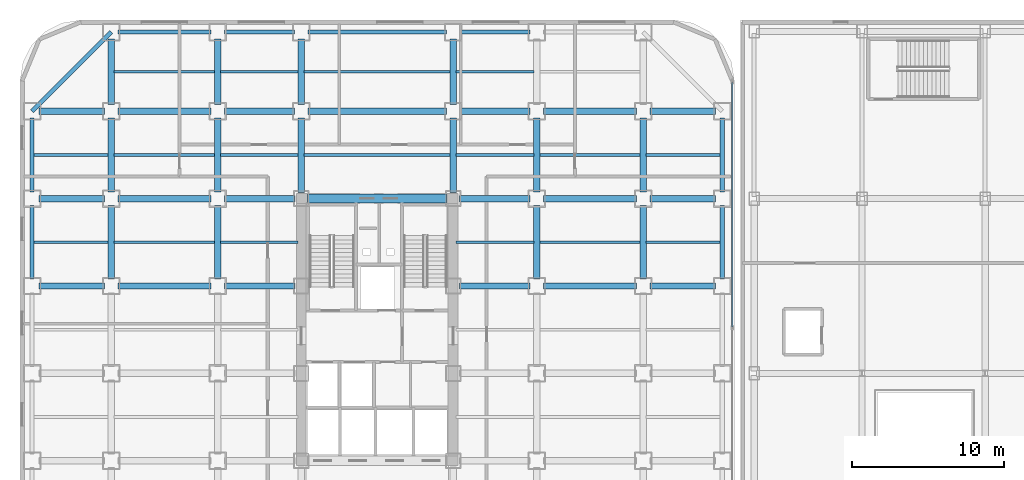
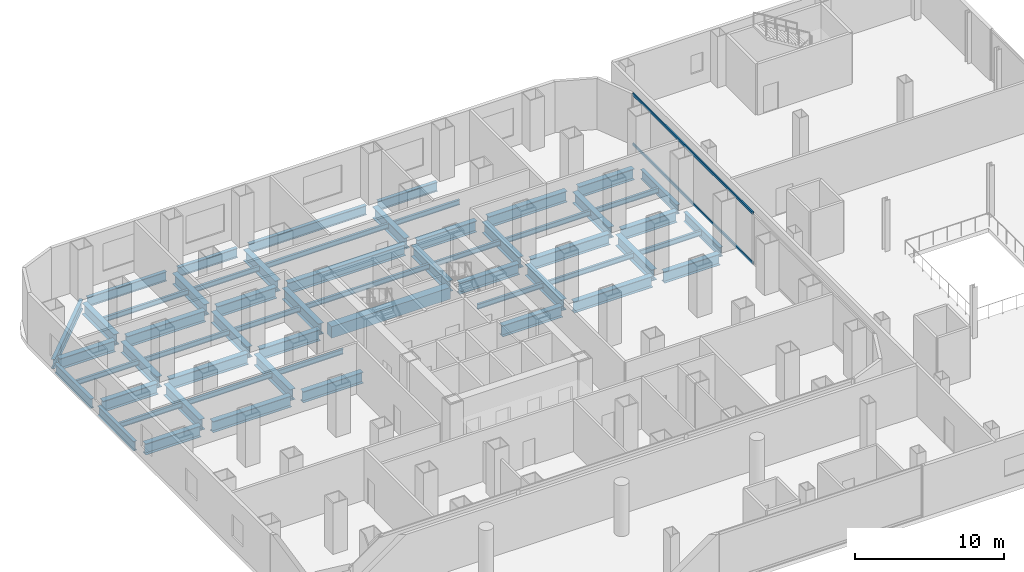
# One storey, part 13 of 27: 60 beams, 2 members, 1 element without a shape of its own.
"""IFC4 building model written with IfcOpenShell, lengths in metres."""

import ifcopenshell
import ifcopenshell.guid

model = None  # the IFC model being written
_history = None  # IfcOwnerHistory: only IFC2X3 demands one
_inside = {}  # id of a spatial element -> (the spatial element, [elements in it])
_under = {}  # id of a project, library or spatial element -> (it, [spatial elements below it])
_declared = {}  # id of a project -> (the project, [libraries it declares])
_typed = {}  # id of a type object -> (the type object, [elements of that type])
_made_of = {}  # id of a material, layer set ... -> (it, [elements and type objects made of it])


def new_model(schema):
    """Start an empty IFC model of exactly this schema.

    Asked for "IFC4X3", IfcOpenShell would pick the latest addendum, in which some entities
    have other attributes; the version numbers below select the first issue.
    IFC2X3 requires an IfcOwnerHistory on every rooted entity: one is made here for all.
    """
    global model, _history
    if schema == "IFC4X3":
        model = ifcopenshell.file(schema_version=(4, 3, 0, 0))
    else:
        model = ifcopenshell.file(schema=schema)
    _inside.clear()
    _under.clear()
    _declared.clear()
    _typed.clear()
    _made_of.clear()
    _history = None
    if model.schema == "IFC2X3":
        org = make("IfcOrganization", Name="unknown")
        user = make(
            "IfcPersonAndOrganization",
            ThePerson=make("IfcPerson", FamilyName="unknown"),
            TheOrganization=org,
        )
        app = make(
            "IfcApplication",
            ApplicationDeveloper=org,
            Version="unknown",
            ApplicationFullName="unknown",
            ApplicationIdentifier="unknown",
        )
        _history = make(
            "IfcOwnerHistory",
            OwningUser=user,
            OwningApplication=app,
            ChangeAction="ADDED",
            CreationDate=0,
        )
    return model


def make(cls, **values):
    """One entity of the class cls with the attributes given. An attribute that is None is left unset."""
    return model.create_entity(
        cls, **{name: value for name, value in values.items() if value is not None}
    )


def rooted(cls, **values):
    """An entity with a GlobalId (a new one), such as an element, a storey or a relation."""
    return make(cls, GlobalId=ifcopenshell.guid.new(), OwnerHistory=_history, **values)


def si_unit(unit_type, name, prefix=None):
    """IfcSIUnit, for example si_unit("LENGTHUNIT", "METRE", prefix="MILLI")."""
    return make("IfcSIUnit", UnitType=unit_type, Prefix=prefix, Name=name)


def assignment(units):
    """IfcUnitAssignment: the units of a project."""
    return None if units is None else make("IfcUnitAssignment", Units=units)


def point(xyz):
    """IfcCartesianPoint."""
    return None if xyz is None else make("IfcCartesianPoint", Coordinates=xyz)


def direction(xyz):
    """IfcDirection."""
    return None if xyz is None else make("IfcDirection", DirectionRatios=xyz)


def frame(location, z_axis=None, x_axis=None):
    """IfcAxis2Placement3D, a coordinate frame: its origin and axes. An axis left out is left unset."""
    return make(
        "IfcAxis2Placement3D",
        Location=point(location),
        Axis=direction(z_axis),
        RefDirection=direction(x_axis),
    )


def frame_2d(location, x_axis=None):
    """IfcAxis2Placement2D, a coordinate frame in the plane: its origin and x axis."""
    return make(
        "IfcAxis2Placement2D", Location=point(location), RefDirection=direction(x_axis)
    )


def origin():
    """The frame at (0, 0, 0) with its axes left unset."""
    return frame((0.0, 0.0, 0.0))


def origin_2d():
    """The frame at (0, 0) in the plane with its x axis left unset."""
    return frame_2d((0.0, 0.0))


def place(relative_to, where):
    """IfcLocalPlacement: puts the frame where relative to a parent placement (None: the world)."""
    return make(
        "IfcLocalPlacement", PlacementRelTo=relative_to, RelativePlacement=where
    )


def context(
    kind, dimensions, precision=None, world=None, true_north=None, identifier=None
):
    """IfcGeometricRepresentationContext, for example the 3D "Model" context."""
    return make(
        "IfcGeometricRepresentationContext",
        ContextIdentifier=identifier,
        ContextType=kind,
        CoordinateSpaceDimension=dimensions,
        Precision=precision,
        WorldCoordinateSystem=world,
        TrueNorth=true_north,
    )


def subcontext(parent, identifier, kind, view, scale=None):
    """IfcGeometricRepresentationSubContext, for example "Body" below "Model"."""
    return make(
        "IfcGeometricRepresentationSubContext",
        ContextIdentifier=identifier,
        ContextType=kind,
        ParentContext=parent,
        TargetScale=scale,
        TargetView=view,
    )


def project(units=None, contexts=None):
    """IfcProject with its units and contexts."""
    return rooted(
        "IfcProject",
        Name="project",
        RepresentationContexts=contexts,
        UnitsInContext=assignment(units),
    )


def spatial(cls, under=None, at=None, **own):
    """A site, building, storey or space (cls), placed at a placement, below another one or the project."""
    s = rooted(cls, ObjectPlacement=at, **own)
    if under is not None:
        _under.setdefault(under.id(), (under, []))[1].append(s)
    return s


def profile(cls, at=None, kind="AREA", **sizes):
    """A parametric profile (cls). Its sizes go by their IFC names, for example OverallWidth=200.0."""
    return make(cls, ProfileType=kind, Position=at, **sizes)


def rectangle(**sizes):
    """IfcRectangleProfileDef."""
    return profile("IfcRectangleProfileDef", **sizes)


def hollow_rectangle(**sizes):
    """IfcRectangleHollowProfileDef."""
    return profile("IfcRectangleHollowProfileDef", **sizes)


def i_section(**sizes):
    """IfcIShapeProfileDef."""
    return profile("IfcIShapeProfileDef", **sizes)


def extrude(swept, where, along, depth):
    """IfcExtrudedAreaSolid: the profile swept, set in the frame where, extruded along a direction by depth."""
    return make(
        "IfcExtrudedAreaSolid",
        SweptArea=swept,
        Position=where,
        ExtrudedDirection=direction(along),
        Depth=depth,
    )


def shape(context_of_items, identifier, shape_type, items):
    """IfcShapeRepresentation: the items that make up one representation, for example the "Body"."""
    return make(
        "IfcShapeRepresentation",
        ContextOfItems=context_of_items,
        RepresentationIdentifier=identifier,
        RepresentationType=shape_type,
        Items=items,
    )


def source(mapping_origin, context_of_items, identifier, shape_type, items):
    """IfcRepresentationMap: a shape defined once, which mapped items show again and again."""
    return make(
        "IfcRepresentationMap",
        MappingOrigin=mapping_origin,
        MappedRepresentation=shape(context_of_items, identifier, shape_type, items),
    )


def transform(
    local_origin,
    x_axis=None,
    y_axis=None,
    z_axis=None,
    scale=None,
    scale2=None,
    scale3=None,
    uniform=True,
):
    """IfcCartesianTransformationOperator3D, or its non-uniform kind. x_axis, y_axis, z_axis: its Axis1, 2, 3."""
    if uniform:
        return make(
            "IfcCartesianTransformationOperator3D",
            Axis1=direction(x_axis),
            Axis2=direction(y_axis),
            LocalOrigin=point(local_origin),
            Scale=scale,
            Axis3=direction(z_axis),
        )
    return make(
        "IfcCartesianTransformationOperator3DnonUniform",
        Axis1=direction(x_axis),
        Axis2=direction(y_axis),
        LocalOrigin=point(local_origin),
        Scale=scale,
        Axis3=direction(z_axis),
        Scale2=scale2,
        Scale3=scale3,
    )


def mapped(mapping_source, mapping_target):
    """IfcMappedItem: shows the shape of a source again, moved by a transform."""
    return make(
        "IfcMappedItem", MappingSource=mapping_source, MappingTarget=mapping_target
    )


def material(Name=None, Category=None):
    """IfcMaterial."""
    return make("IfcMaterial", Name=Name, Category=Category)


def layer(
    of_material, thickness, ventilated=None, Name=None, Category=None, Priority=None
):
    """IfcMaterialLayer: one layer of a wall or slab, of a material (None: an air gap)."""
    return make(
        "IfcMaterialLayer",
        Material=of_material,
        LayerThickness=thickness,
        IsVentilated=ventilated,
        Name=Name,
        Category=Category,
        Priority=Priority,
    )


def layer_set(layers, Name=None):
    """IfcMaterialLayerSet."""
    return make("IfcMaterialLayerSet", MaterialLayers=layers, LayerSetName=Name)


def material_profile(
    of_material, cross_section, Name=None, Category=None, Priority=None
):
    """IfcMaterialProfile: a cross section and its material."""
    return make(
        "IfcMaterialProfile",
        Name=Name,
        Material=of_material,
        Profile=cross_section,
        Priority=Priority,
        Category=Category,
    )


def profile_set(profiles, Name=None, composite=None):
    """IfcMaterialProfileSet."""
    return make(
        "IfcMaterialProfileSet",
        Name=Name,
        MaterialProfiles=profiles,
        CompositeProfile=composite,
    )


def made_of(thing, what):
    """Note that an element or type object is made of a material, layer set ...; save() writes the relation."""
    if what is not None:
        _made_of.setdefault(what.id(), (what, []))[1].append(thing)
    return thing


def type_object(cls, material=None, **own):
    """A type object (cls), such as IfcWallType, which elements share."""
    return made_of(rooted(cls, **own), material)


def element(
    cls,
    number,
    at=None,
    inside=None,
    cuts=None,
    type_object=None,
    material=None,
    context=None,
    identifier="Body",
    shape_type=None,
    held_by="IfcProductDefinitionShape",
    body=None,
    shapes=None,
    **own,
):
    """One element of the class cls, such as IfcWall. Its Tag is "e" and its number.

    at: its placement. inside: the storey or other place that contains it. cuts: it is an
    opening in that element (IfcRelVoidsElement). A single representation is given by context,
    identifier, shape_type and body (its items); several are given by shapes. held_by: the class
    of the entity that holds the representations. save() writes the other relations.
    """
    e = rooted(cls, Tag="e%d" % number, ObjectPlacement=at, **own)
    if body is not None:
        shapes = [shape(context, identifier, shape_type, body)]
    if shapes is not None:
        e.Representation = make(held_by, Representations=shapes)
    if inside is not None:
        _inside.setdefault(inside.id(), (inside, []))[1].append(e)
    if cuts is not None:
        rooted(
            "IfcRelVoidsElement", RelatingBuildingElement=cuts, RelatedOpeningElement=e
        )
    if type_object is not None:
        _typed.setdefault(type_object.id(), (type_object, []))[1].append(e)
    return made_of(e, material)


def aggregate(whole, parts):
    """IfcRelAggregates: a whole, such as a stair, and the parts it consists of."""
    return rooted("IfcRelAggregates", RelatingObject=whole, RelatedObjects=parts)


def save(model, path):
    """Write the relations noted so far, then the file.

    IfcRelAggregates (storeys below a building ...), IfcRelContainedInSpatialStructure (elements
    in a storey), IfcRelDefinesByType, IfcRelAssociatesMaterial and IfcRelDeclares: one each for
    every whole, place, type object, material and project.
    """
    for whole, parts in _under.values():
        aggregate(whole, parts)
    for where, things in _inside.values():
        rooted(
            "IfcRelContainedInSpatialStructure",
            RelatedElements=things,
            RelatingStructure=where,
        )
    for kind, things in _typed.values():
        rooted("IfcRelDefinesByType", RelatedObjects=things, RelatingType=kind)
    for what, things in _made_of.values():
        rooted("IfcRelAssociatesMaterial", RelatedObjects=things, RelatingMaterial=what)
    for by, libraries in _declared.values():
        rooted("IfcRelDeclares", RelatingContext=by, RelatedDefinitions=libraries)
    model.write(path)


model = new_model("IFC4")

# Units and contexts
model_context = context("Model", 3, precision=1e-05, world=origin(), true_north=direction((0.0, 1.0)))
body_context = subcontext(model_context, "Body", "Model", "MODEL_VIEW")
ifc_project = project(units=[si_unit("LENGTHUNIT", "METRE"), si_unit("AREAUNIT", "SQUARE_METRE"), si_unit("VOLUMEUNIT", "CUBIC_METRE"), si_unit("PLANEANGLEUNIT", "RADIAN"), si_unit("MASSUNIT", "GRAM", prefix="KILO")], contexts=[model_context])

# Site, building, storey
site_placement = place(None, origin())
site = spatial("IfcSite", under=ifc_project, at=site_placement, CompositionType="ELEMENT")
building_placement = place(site_placement, origin())
building = spatial("IfcBuilding", under=site, at=building_placement, Name="Kolveth Station Tower", CompositionType="ELEMENT")
storey_placement = place(building_placement, frame((0.0, 0.0, 13.5)))
storey = spatial("IfcBuildingStorey", under=building, at=storey_placement, Name="L03", CompositionType="ELEMENT", Elevation=13.5)

# Beams
ifc_material_1 = material(Name="Steel S355", Category="steel")
ifc_material_profile_1 = material_profile(ifc_material_1, i_section(OverallWidth=0.26904296875, OverallDepth=0.77490234375, WebThickness=0.01708984375, FlangeThickness=0.0283203125, at=origin_2d()), Name="W760x220")
ifc_profile_set_1 = profile_set([ifc_material_profile_1], Name="Steel S355")
beam_type_1 = type_object("IfcBeamType", Name="Beam_SP1", PredefinedType="SPANDREL", material=ifc_profile_set_1)
shared_shape_1 = source(origin(), body_context, "Body", "SweptSolid", [
    extrude(i_section(OverallWidth=0.26904296875, OverallDepth=0.77490234375, WebThickness=0.01708984375, FlangeThickness=0.0283203125, at=origin_2d()), origin(), (0.0, 0.0, 1.0), 6.10009765625),
])
beam_1_placement = place(storey_placement, frame((6.449951171875, 39.699951171875, -0.70751953125), z_axis=(1.0, 0.0, 0.0), x_axis=(0.0, 1.0, 0.0)))
element("IfcBeam", 1, at=beam_1_placement, inside=storey, type_object=beam_type_1, Name="L03 Perimeter Spandrel BM-L03-PN-1", PredefinedType="SPANDREL", context=body_context, shape_type="MappedRepresentation", body=[
    mapped(shared_shape_1, transform((0.0, 0.0, 0.0), x_axis=(1.0, 0.0, 0.0), y_axis=(0.0, 1.0, 0.0), z_axis=(0.0, 0.0, 1.0), scale=1.0)),
])
shared_shape_2 = source(origin(), body_context, "Body", "SweptSolid", [
    extrude(i_section(OverallWidth=0.26904296875, OverallDepth=0.77490234375, WebThickness=0.01708984375, FlangeThickness=0.0283203125, at=origin_2d()), origin(), (0.0, 0.0, 1.0), 4.60009765625),
])
for number, where, z_axis, x_axis, name in (
    (2, (13.449951171875, 39.699951171875, -0.70751953125), (1.0, 0.0, 0.0), (0.0, 1.0, 0.0), "L03 Perimeter Spandrel BM-L03-PN-2"),
    (3, (28.949951171875, 39.699951171875, -0.70751953125), (1.0, 0.0, 0.0), (0.0, 1.0, 0.0), "L03 Perimeter Spandrel BM-L03-PN-4"),
):
    element("IfcBeam", number, at=place(storey_placement, frame(where, z_axis=z_axis, x_axis=x_axis)), inside=storey, type_object=beam_type_1, Name=name, PredefinedType="SPANDREL", context=body_context, shape_type="MappedRepresentation", body=[
        mapped(shared_shape_2, transform((0.0, 0.0, 0.0), x_axis=(1.0, 0.0, 0.0), y_axis=(0.0, 1.0, 0.0), z_axis=(0.0, 0.0, 1.0), scale=1.0)),
    ])
shared_shape_3 = source(origin(), body_context, "Body", "SweptSolid", [
    extrude(i_section(OverallWidth=0.26904296875, OverallDepth=0.77490234375, WebThickness=0.01708984375, FlangeThickness=0.0283203125, at=origin_2d()), origin(), (0.0, 0.0, 1.0), 9.10009765625),
])
beam_2_placement = place(storey_placement, frame((18.949951171875, 39.699951171875, -0.70751953125), z_axis=(1.0, 0.0, 0.0), x_axis=(0.0, 1.0, 0.0)))
element("IfcBeam", 4, at=beam_2_placement, inside=storey, type_object=beam_type_1, Name="L03 Perimeter Spandrel BM-L03-PN-3", PredefinedType="SPANDREL", context=body_context, shape_type="MappedRepresentation", body=[
    mapped(shared_shape_3, transform((0.0, 0.0, 0.0), x_axis=(1.0, 0.0, 0.0), y_axis=(0.0, 1.0, 0.0), z_axis=(0.0, 0.0, 1.0), scale=1.0)),
])
shared_shape_4 = source(origin(), body_context, "Body", "SweptSolid", [
    extrude(i_section(OverallWidth=0.26904296875, OverallDepth=0.77490234375, WebThickness=0.01708984375, FlangeThickness=0.0283203125, at=origin_2d()), origin(), (0.0, 0.0, 1.0), 4.85009765625),
])
for number, where, z_axis, x_axis, name in (
    (5, (0.800048828125, 23.449951171875, -0.70751953125), (0.0, 1.0, 0.0), (-1.0, 0.0, 0.0), "L03 Perimeter Spandrel BM-L03-PW-4"),
    (6, (0.800048828125, 29.199951171875, -0.70751953125), (0.0, 1.0, 0.0), (-1.0, 0.0, 0.0), "L03 Perimeter Spandrel BM-L03-PW-5"),
    (7, (46.199951171875, 23.449951171875, -0.70751953125), (0.0, 1.0, 0.0), (-1.0, 0.0, 0.0), "L03 Perimeter Spandrel BM-L03-PE-4"),
    (8, (46.199951171875, 29.199951171875, -0.70751953125), (0.0, 1.0, 0.0), (-1.0, 0.0, 0.0), "L03 Perimeter Spandrel BM-L03-PE-5"),
):
    element("IfcBeam", number, at=place(storey_placement, frame(where, z_axis=z_axis, x_axis=x_axis)), inside=storey, type_object=beam_type_1, Name=name, PredefinedType="SPANDREL", context=body_context, shape_type="MappedRepresentation", body=[
        mapped(shared_shape_4, transform((0.0, 0.0, 0.0), x_axis=(1.0, 0.0, 0.0), y_axis=(0.0, 1.0, 0.0), z_axis=(0.0, 0.0, 1.0), scale=1.0)),
    ])
shared_shape_5 = source(origin(), body_context, "Body", "SweptSolid", [
    extrude(i_section(OverallWidth=0.26904296875, OverallDepth=0.77490234375, WebThickness=0.01708984375, FlangeThickness=0.0283203125, at=origin_2d()), origin(), (0.0, 0.0, 1.0), 7.353759765625),
])
beam_3_placement = place(storey_placement, frame((6.0, 39.699951171875, -0.70751953125), z_axis=(-0.707106781187, -0.707106781187, 0.0), x_axis=(0.707106781187, -0.707106781187, 0.0)))
element("IfcBeam", 9, at=beam_3_placement, inside=storey, type_object=beam_type_1, Name="L03 Corner Edge Girder BM-L03-CNR-NW", PredefinedType="SPANDREL", context=body_context, shape_type="MappedRepresentation", body=[
    mapped(shared_shape_5, transform((0.0, 0.0, 0.0), x_axis=(1.0, 0.0, 0.0), y_axis=(0.0, 1.0, 0.0), z_axis=(0.0, 0.0, 1.0), scale=1.0)),
])
ifc_material_profile_2 = material_profile(ifc_material_1, i_section(OverallWidth=0.41796875, OverallDepth=0.912109375, WebThickness=0.019287109375, FlangeThickness=0.031982421875, at=origin_2d()), Name="W920x342")
ifc_profile_set_2 = profile_set([ifc_material_profile_2], Name="Steel S355")
beam_type_2 = type_object("IfcBeamType", Name="Beam_B1", PredefinedType="BEAM", material=ifc_profile_set_2)
shared_shape_6 = source(origin(), body_context, "Body", "SweptSolid", [
    extrude(i_section(OverallWidth=0.41796875, OverallDepth=0.912109375, WebThickness=0.019287109375, FlangeThickness=0.031982421875, at=origin_2d()), origin(), (0.0, 0.0, 1.0), 4.300048828125),
])
for number, where, z_axis, x_axis, name in (
    (10, (1.25, 23.0, -0.77587890625), (1.0, 0.0, 0.0), (0.0, 1.0, 0.0), "L03 Primary Girder BM-L03-GY230-1"),
    (11, (41.449951171875, 23.0, -0.77587890625), (1.0, 0.0, 0.0), (0.0, 1.0, 0.0), "L03 Primary Girder BM-L03-GY230-7"),
    (12, (1.25, 28.75, -0.77587890625), (1.0, 0.0, 0.0), (0.0, 1.0, 0.0), "L03 Primary Girder BM-L03-GY287-1"),
    (13, (41.449951171875, 28.75, -0.77587890625), (1.0, 0.0, 0.0), (0.0, 1.0, 0.0), "L03 Primary Girder BM-L03-GY287-7"),
    (14, (1.25, 34.5, -0.77587890625), (1.0, 0.0, 0.0), (0.0, 1.0, 0.0), "L03 Primary Girder BM-L03-GY345-1"),
    (15, (41.449951171875, 34.5, -0.77587890625), (1.0, 0.0, 0.0), (0.0, 1.0, 0.0), "L03 Primary Girder BM-L03-GY345-7"),
    (16, (6.0, 34.949951171875, -0.77587890625), (0.0, 1.0, 0.0), (-1.0, 0.0, 0.0), "L03 Primary Girder BM-L03-GX60-7"),
    (17, (13.0, 34.949951171875, -0.77587890625), (0.0, 1.0, 0.0), (-1.0, 0.0, 0.0), "L03 Primary Girder BM-L03-GX130-7"),
    (18, (18.5, 34.949951171875, -0.77587890625), (0.0, 1.0, 0.0), (-1.0, 0.0, 0.0), "L03 Primary Girder BM-L03-GX185-7"),
    (19, (28.5, 34.949951171875, -0.77587890625), (0.0, 1.0, 0.0), (-1.0, 0.0, 0.0), "L03 Primary Girder BM-L03-GX285-7"),
):
    element("IfcBeam", number, at=place(storey_placement, frame(where, z_axis=z_axis, x_axis=x_axis)), inside=storey, type_object=beam_type_2, Name=name, PredefinedType="BEAM", context=body_context, shape_type="MappedRepresentation", body=[
        mapped(shared_shape_6, transform((0.0, 0.0, 0.0), x_axis=(1.0, 0.0, 0.0), y_axis=(0.0, 1.0, 0.0), z_axis=(0.0, 0.0, 1.0), scale=1.0)),
    ])
shared_shape_7 = source(origin(), body_context, "Body", "SweptSolid", [
    extrude(i_section(OverallWidth=0.41796875, OverallDepth=0.912109375, WebThickness=0.019287109375, FlangeThickness=0.031982421875, at=origin_2d()), origin(), (0.0, 0.0, 1.0), 6.10009765625),
])
for number, where, z_axis, x_axis, name in (
    (20, (6.449951171875, 23.0, -0.77587890625), (1.0, 0.0, 0.0), (0.0, 1.0, 0.0), "L03 Primary Girder BM-L03-GY230-2"),
    (21, (34.449951171875, 23.0, -0.77587890625), (1.0, 0.0, 0.0), (0.0, 1.0, 0.0), "L03 Primary Girder BM-L03-GY230-6"),
    (22, (6.449951171875, 28.75, -0.77587890625), (1.0, 0.0, 0.0), (0.0, 1.0, 0.0), "L03 Primary Girder BM-L03-GY287-2"),
    (23, (34.449951171875, 28.75, -0.77587890625), (1.0, 0.0, 0.0), (0.0, 1.0, 0.0), "L03 Primary Girder BM-L03-GY287-6"),
    (24, (6.449951171875, 34.5, -0.77587890625), (1.0, 0.0, 0.0), (0.0, 1.0, 0.0), "L03 Primary Girder BM-L03-GY345-2"),
    (25, (34.449951171875, 34.5, -0.77587890625), (1.0, 0.0, 0.0), (0.0, 1.0, 0.0), "L03 Primary Girder BM-L03-GY345-6"),
):
    element("IfcBeam", number, at=place(storey_placement, frame(where, z_axis=z_axis, x_axis=x_axis)), inside=storey, type_object=beam_type_2, Name=name, PredefinedType="BEAM", context=body_context, shape_type="MappedRepresentation", body=[
        mapped(shared_shape_7, transform((0.0, 0.0, 0.0), x_axis=(1.0, 0.0, 0.0), y_axis=(0.0, 1.0, 0.0), z_axis=(0.0, 0.0, 1.0), scale=1.0)),
    ])
shared_shape_8 = source(origin(), body_context, "Body", "SweptSolid", [
    extrude(i_section(OverallWidth=0.41796875, OverallDepth=0.912109375, WebThickness=0.019287109375, FlangeThickness=0.031982421875, at=origin_2d()), origin(), (0.0, 0.0, 1.0), 4.60009765625),
])
for number, where, z_axis, x_axis, name in (
    (26, (13.449951171875, 34.5, -0.77587890625), (1.0, 0.0, 0.0), (0.0, 1.0, 0.0), "L03 Primary Girder BM-L03-GY345-3"),
    (27, (28.949951171875, 34.5, -0.77587890625), (1.0, 0.0, 0.0), (0.0, 1.0, 0.0), "L03 Primary Girder BM-L03-GY345-5"),
):
    element("IfcBeam", number, at=place(storey_placement, frame(where, z_axis=z_axis, x_axis=x_axis)), inside=storey, type_object=beam_type_2, Name=name, PredefinedType="BEAM", context=body_context, shape_type="MappedRepresentation", body=[
        mapped(shared_shape_8, transform((0.0, 0.0, 0.0), x_axis=(1.0, 0.0, 0.0), y_axis=(0.0, 1.0, 0.0), z_axis=(0.0, 0.0, 1.0), scale=1.0)),
    ])
shared_shape_9 = source(origin(), body_context, "Body", "SweptSolid", [
    extrude(i_section(OverallWidth=0.41796875, OverallDepth=0.912109375, WebThickness=0.019287109375, FlangeThickness=0.031982421875, at=origin_2d()), origin(), (0.0, 0.0, 1.0), 9.10009765625),
])
beam_4_placement = place(storey_placement, frame((18.949951171875, 34.5, -0.77587890625), z_axis=(1.0, 0.0, 0.0), x_axis=(0.0, 1.0, 0.0)))
element("IfcBeam", 28, at=beam_4_placement, inside=storey, type_object=beam_type_2, Name="L03 Primary Girder BM-L03-GY345-4", PredefinedType="BEAM", context=body_context, shape_type="MappedRepresentation", body=[
    mapped(shared_shape_9, transform((0.0, 0.0, 0.0), x_axis=(1.0, 0.0, 0.0), y_axis=(0.0, 1.0, 0.0), z_axis=(0.0, 0.0, 1.0), scale=1.0)),
])
shared_shape_10 = source(origin(), body_context, "Body", "SweptSolid", [
    extrude(i_section(OverallWidth=0.41796875, OverallDepth=0.912109375, WebThickness=0.019287109375, FlangeThickness=0.031982421875, at=origin_2d()), origin(), (0.0, 0.0, 1.0), 4.650146484375),
])
for number, where, z_axis, x_axis, name in (
    (29, (13.449951171875, 23.0, -0.77587890625), (1.0, 0.0, 0.0), (0.0, 1.0, 0.0), "L03 Primary Girder BM-L03-GY230-3"),
    (30, (28.89990234375, 23.0, -0.77587890625), (1.0, 0.0, 0.0), (0.0, 1.0, 0.0), "L03 Primary Girder BM-L03-GY230-5"),
    (31, (13.449951171875, 28.75, -0.77587890625), (1.0, 0.0, 0.0), (0.0, 1.0, 0.0), "L03 Primary Girder BM-L03-GY287-3"),
    (32, (28.89990234375, 28.75, -0.77587890625), (1.0, 0.0, 0.0), (0.0, 1.0, 0.0), "L03 Primary Girder BM-L03-GY287-5"),
):
    element("IfcBeam", number, at=place(storey_placement, frame(where, z_axis=z_axis, x_axis=x_axis)), inside=storey, type_object=beam_type_2, Name=name, PredefinedType="BEAM", context=body_context, shape_type="MappedRepresentation", body=[
        mapped(shared_shape_10, transform((0.0, 0.0, 0.0), x_axis=(1.0, 0.0, 0.0), y_axis=(0.0, 1.0, 0.0), z_axis=(0.0, 0.0, 1.0), scale=1.0)),
    ])
ifc_material_2 = material(Name="Concrete C60/75", Category="concrete")
ifc_material_profile_3 = material_profile(ifc_material_2, rectangle(XDim=0.60009765625, YDim=0.949951171875, at=origin_2d()), Name="RC-600x950")
ifc_profile_set_3 = profile_set([ifc_material_profile_3], Name="Concrete C60/75")
beam_type_3 = type_object("IfcBeamType", Name="Beam_CB1", PredefinedType="BEAM", material=ifc_profile_set_3)
shared_shape_11 = source(origin(), body_context, "Body", "SweptSolid", [
    extrude(rectangle(XDim=0.60009765625, YDim=0.949951171875, at=origin_2d()), origin(), (0.0, 0.0, 1.0), 9.2001953125),
])
beam_5_placement = place(storey_placement, frame((18.89990234375, 28.75, -0.794921875), z_axis=(1.0, 0.0, 0.0), x_axis=(0.0, 1.0, 0.0)))
element("IfcBeam", 33, at=beam_5_placement, inside=storey, type_object=beam_type_3, Name="L03 Core Coupling Beam BM-L03-CB-Y287", PredefinedType="BEAM", context=body_context, shape_type="MappedRepresentation", body=[
    mapped(shared_shape_11, transform((0.0, 0.0, 0.0), x_axis=(1.0, 0.0, 0.0), y_axis=(0.0, 1.0, 0.0), z_axis=(0.0, 0.0, 1.0), scale=1.0)),
])
shared_shape_12 = source(origin(), body_context, "Body", "SweptSolid", [
    extrude(i_section(OverallWidth=0.41796875, OverallDepth=0.912109375, WebThickness=0.019287109375, FlangeThickness=0.031982421875, at=origin_2d()), origin(), (0.0, 0.0, 1.0), 4.85009765625),
])
for number, where, z_axis, x_axis, name in (
    (34, (6.0, 23.449951171875, -0.77587890625), (0.0, 1.0, 0.0), (-1.0, 0.0, 0.0), "L03 Primary Girder BM-L03-GX60-5"),
    (35, (6.0, 29.199951171875, -0.77587890625), (0.0, 1.0, 0.0), (-1.0, 0.0, 0.0), "L03 Primary Girder BM-L03-GX60-6"),
    (36, (13.0, 23.449951171875, -0.77587890625), (0.0, 1.0, 0.0), (-1.0, 0.0, 0.0), "L03 Primary Girder BM-L03-GX130-5"),
    (37, (13.0, 29.199951171875, -0.77587890625), (0.0, 1.0, 0.0), (-1.0, 0.0, 0.0), "L03 Primary Girder BM-L03-GX130-6"),
    (38, (34.0, 23.449951171875, -0.77587890625), (0.0, 1.0, 0.0), (-1.0, 0.0, 0.0), "L03 Primary Girder BM-L03-GX340-5"),
    (39, (34.0, 29.199951171875, -0.77587890625), (0.0, 1.0, 0.0), (-1.0, 0.0, 0.0), "L03 Primary Girder BM-L03-GX340-6"),
    (40, (41.0, 23.449951171875, -0.77587890625), (0.0, 1.0, 0.0), (-1.0, 0.0, 0.0), "L03 Primary Girder BM-L03-GX410-5"),
    (41, (41.0, 29.199951171875, -0.77587890625), (0.0, 1.0, 0.0), (-1.0, 0.0, 0.0), "L03 Primary Girder BM-L03-GX410-6"),
):
    element("IfcBeam", number, at=place(storey_placement, frame(where, z_axis=z_axis, x_axis=x_axis)), inside=storey, type_object=beam_type_2, Name=name, PredefinedType="BEAM", context=body_context, shape_type="MappedRepresentation", body=[
        mapped(shared_shape_12, transform((0.0, 0.0, 0.0), x_axis=(1.0, 0.0, 0.0), y_axis=(0.0, 1.0, 0.0), z_axis=(0.0, 0.0, 1.0), scale=1.0)),
    ])
shared_shape_13 = source(origin(), body_context, "Body", "SweptSolid", [
    extrude(i_section(OverallWidth=0.41796875, OverallDepth=0.912109375, WebThickness=0.019287109375, FlangeThickness=0.031982421875, at=origin_2d()), origin(), (0.0, 0.0, 1.0), 4.900146484375),
])
for number, where, z_axis, x_axis, name in (
    (42, (18.5, 29.14990234375, -0.77587890625), (0.0, 1.0, 0.0), (-1.0, 0.0, 0.0), "L03 Primary Girder BM-L03-GX185-6"),
    (43, (28.5, 29.14990234375, -0.77587890625), (0.0, 1.0, 0.0), (-1.0, 0.0, 0.0), "L03 Primary Girder BM-L03-GX285-6"),
):
    element("IfcBeam", number, at=place(storey_placement, frame(where, z_axis=z_axis, x_axis=x_axis)), inside=storey, type_object=beam_type_2, Name=name, PredefinedType="BEAM", context=body_context, shape_type="MappedRepresentation", body=[
        mapped(shared_shape_13, transform((0.0, 0.0, 0.0), x_axis=(1.0, 0.0, 0.0), y_axis=(0.0, 1.0, 0.0), z_axis=(0.0, 0.0, 1.0), scale=1.0)),
    ])
ifc_material_profile_4 = material_profile(ifc_material_1, i_section(OverallWidth=0.177978515625, OverallDepth=0.406982421875, WebThickness=0.0078125, FlangeThickness=0.0126953125, at=origin_2d()), Name="W410x60")
ifc_profile_set_4 = profile_set([ifc_material_profile_4], Name="Steel S355")
beam_type_4 = type_object("IfcBeamType", Name="Beam_J1", PredefinedType="JOIST", material=ifc_profile_set_4)
shared_shape_14 = source(origin(), body_context, "Body", "SweptSolid", [
    extrude(i_section(OverallWidth=0.177978515625, OverallDepth=0.406982421875, WebThickness=0.0078125, FlangeThickness=0.0126953125, at=origin_2d()), origin(), (0.0, 0.0, 1.0), 4.872314453125),
])
for number, where, z_axis, x_axis, name in (
    (44, (0.9326171875, 25.875, -0.5234375), (1.0, 0.0, 0.0), (0.0, 1.0, 0.0), "L03 Secondary Joist JST-L03-1-5"),
    (45, (0.9326171875, 31.625, -0.5234375), (1.0, 0.0, 0.0), (0.0, 1.0, 0.0), "L03 Secondary Joist JST-L03-1-6"),
    (46, (41.195068359375, 25.875, -0.5234375), (1.0, 0.0, 0.0), (0.0, 1.0, 0.0), "L03 Secondary Joist JST-L03-7-5"),
    (47, (41.195068359375, 31.625, -0.5234375), (1.0, 0.0, 0.0), (0.0, 1.0, 0.0), "L03 Secondary Joist JST-L03-7-6"),
):
    element("IfcBeam", number, at=place(storey_placement, frame(where, z_axis=z_axis, x_axis=x_axis)), inside=storey, type_object=beam_type_4, Name=name, PredefinedType="JOIST", context=body_context, shape_type="MappedRepresentation", body=[
        mapped(shared_shape_14, transform((0.0, 0.0, 0.0), x_axis=(1.0, 0.0, 0.0), y_axis=(0.0, 1.0, 0.0), z_axis=(0.0, 0.0, 1.0), scale=1.0)),
    ])
shared_shape_15 = source(origin(), body_context, "Body", "SweptSolid", [
    extrude(i_section(OverallWidth=0.177978515625, OverallDepth=0.406982421875, WebThickness=0.0078125, FlangeThickness=0.0126953125, at=origin_2d()), origin(), (0.0, 0.0, 1.0), 6.60986328125),
])
for number, where, z_axis, x_axis, name in (
    (48, (6.195068359375, 25.875, -0.5234375), (1.0, 0.0, 0.0), (0.0, 1.0, 0.0), "L03 Secondary Joist JST-L03-2-5"),
    (49, (6.195068359375, 31.625, -0.5234375), (1.0, 0.0, 0.0), (0.0, 1.0, 0.0), "L03 Secondary Joist JST-L03-2-6"),
    (50, (6.195068359375, 37.10009765625, -0.5234375), (1.0, 0.0, 0.0), (0.0, 1.0, 0.0), "L03 Secondary Joist JST-L03-2-7"),
    (51, (34.195068359375, 25.875, -0.5234375), (1.0, 0.0, 0.0), (0.0, 1.0, 0.0), "L03 Secondary Joist JST-L03-6-5"),
    (52, (34.195068359375, 31.625, -0.5234375), (1.0, 0.0, 0.0), (0.0, 1.0, 0.0), "L03 Secondary Joist JST-L03-6-6"),
):
    element("IfcBeam", number, at=place(storey_placement, frame(where, z_axis=z_axis, x_axis=x_axis)), inside=storey, type_object=beam_type_4, Name=name, PredefinedType="JOIST", context=body_context, shape_type="MappedRepresentation", body=[
        mapped(shared_shape_15, transform((0.0, 0.0, 0.0), x_axis=(1.0, 0.0, 0.0), y_axis=(0.0, 1.0, 0.0), z_axis=(0.0, 0.0, 1.0), scale=1.0)),
    ])
shared_shape_16 = source(origin(), body_context, "Body", "SweptSolid", [
    extrude(i_section(OverallWidth=0.177978515625, OverallDepth=0.406982421875, WebThickness=0.0078125, FlangeThickness=0.0126953125, at=origin_2d()), origin(), (0.0, 0.0, 1.0), 5.10986328125),
])
for number, where, z_axis, x_axis, name in (
    (53, (13.195068359375, 25.875, -0.5234375), (1.0, 0.0, 0.0), (0.0, 1.0, 0.0), "L03 Secondary Joist JST-L03-3-5"),
    (54, (13.195068359375, 31.625, -0.5234375), (1.0, 0.0, 0.0), (0.0, 1.0, 0.0), "L03 Secondary Joist JST-L03-3-6"),
    (55, (13.195068359375, 37.10009765625, -0.5234375), (1.0, 0.0, 0.0), (0.0, 1.0, 0.0), "L03 Secondary Joist JST-L03-3-7"),
    (56, (28.695068359375, 25.875, -0.5234375), (1.0, 0.0, 0.0), (0.0, 1.0, 0.0), "L03 Secondary Joist JST-L03-5-5"),
    (57, (28.695068359375, 31.625, -0.5234375), (1.0, 0.0, 0.0), (0.0, 1.0, 0.0), "L03 Secondary Joist JST-L03-5-6"),
    (58, (28.695068359375, 37.10009765625, -0.5234375), (1.0, 0.0, 0.0), (0.0, 1.0, 0.0), "L03 Secondary Joist JST-L03-5-7"),
):
    element("IfcBeam", number, at=place(storey_placement, frame(where, z_axis=z_axis, x_axis=x_axis)), inside=storey, type_object=beam_type_4, Name=name, PredefinedType="JOIST", context=body_context, shape_type="MappedRepresentation", body=[
        mapped(shared_shape_16, transform((0.0, 0.0, 0.0), x_axis=(1.0, 0.0, 0.0), y_axis=(0.0, 1.0, 0.0), z_axis=(0.0, 0.0, 1.0), scale=1.0)),
    ])
shared_shape_17 = source(origin(), body_context, "Body", "SweptSolid", [
    extrude(i_section(OverallWidth=0.177978515625, OverallDepth=0.406982421875, WebThickness=0.0078125, FlangeThickness=0.0126953125, at=origin_2d()), origin(), (0.0, 0.0, 1.0), 9.60986328125),
])
for number, where, z_axis, x_axis, name in (
    (59, (18.695068359375, 31.625, -0.5234375), (1.0, 0.0, 0.0), (0.0, 1.0, 0.0), "L03 Secondary Joist JST-L03-4-6"),
    (60, (18.695068359375, 37.10009765625, -0.5234375), (1.0, 0.0, 0.0), (0.0, 1.0, 0.0), "L03 Secondary Joist JST-L03-4-7"),
):
    element("IfcBeam", number, at=place(storey_placement, frame(where, z_axis=z_axis, x_axis=x_axis)), inside=storey, type_object=beam_type_4, Name=name, PredefinedType="JOIST", context=body_context, shape_type="MappedRepresentation", body=[
        mapped(shared_shape_17, transform((0.0, 0.0, 0.0), x_axis=(1.0, 0.0, 0.0), y_axis=(0.0, 1.0, 0.0), z_axis=(0.0, 0.0, 1.0), scale=1.0)),
    ])

# Curtain wall, members
ifc_material_3 = material(Name="Black anodized aluminium 6063-T6 and clear station glass", Category="aluminium")
ifc_layer = layer(ifc_material_3, 0.239990234375)
ifc_layer_set = layer_set([ifc_layer], Name="Black anodized aluminium 6063-T6 and clear station glass")
curtain_wall_type = type_object("IfcCurtainWallType", Name="CurtainWall_CW-ST", PredefinedType="NOTDEFINED", material=ifc_layer_set)
curtain_wall_placement = place(storey_placement, origin())
curtain_wall = element("IfcCurtainWall", 61, at=curtain_wall_placement, inside=storey, type_object=curtain_wall_type, Name="L03 Tower Podium East Storefront Curtain Wall", PredefinedType="NOTDEFINED")
ifc_material_4 = material(Name="Black anodized aluminium 6063-T6", Category="aluminium")
ifc_material_profile_5 = material_profile(ifc_material_4, hollow_rectangle(XDim=0.094970703125, YDim=0.219970703125, WallThickness=0.0048828125, at=origin_2d()), Name="ALU-95x220x5")
ifc_profile_set_5 = profile_set([ifc_material_profile_5], Name="Black anodized aluminium 6063-T6")
member_type = type_object("IfcMemberType", Name="Transom_TR-ST", PredefinedType="USERDEFINED", material=ifc_profile_set_5)
shared_shape_18 = source(origin(), body_context, "Body", "SweptSolid", [
    extrude(hollow_rectangle(XDim=0.094970703125, YDim=0.219970703125, WallThickness=0.0048828125, at=origin_2d()), origin(), (0.0, 0.0, 1.0), 16.099853515625),
])
member_1_placement = place(storey_placement, frame((46.860107421875, 20.300048828125, 0.047607421875), z_axis=(0.0, 1.0, 0.0), x_axis=(-1.0, 0.0, 0.0)))
member_1 = element("IfcMember", 62, at=member_1_placement, type_object=member_type, Name="CW-ST transom 2.1", ObjectType="TRANSOM", PredefinedType="USERDEFINED", context=body_context, shape_type="MappedRepresentation", body=[
    mapped(shared_shape_18, transform((0.0, 0.0, 0.0), x_axis=(1.0, 0.0, 0.0), y_axis=(0.0, 1.0, 0.0), z_axis=(0.0, 0.0, 1.0), scale=1.0)),
])
member_2_placement = place(storey_placement, frame((46.860107421875, 20.300048828125, 4.132568359375), z_axis=(0.0, 1.0, 0.0), x_axis=(-1.0, 0.0, 0.0)))
member_2 = element("IfcMember", 63, at=member_2_placement, type_object=member_type, Name="CW-ST transom 2.2", ObjectType="TRANSOM", PredefinedType="USERDEFINED", context=body_context, shape_type="MappedRepresentation", body=[
    mapped(shared_shape_18, transform((0.0, 0.0, 0.0), x_axis=(1.0, 0.0, 0.0), y_axis=(0.0, 1.0, 0.0), z_axis=(0.0, 0.0, 1.0), scale=1.0)),
])
aggregate(curtain_wall, [member_1, member_2])

save(model, "model.ifc")
